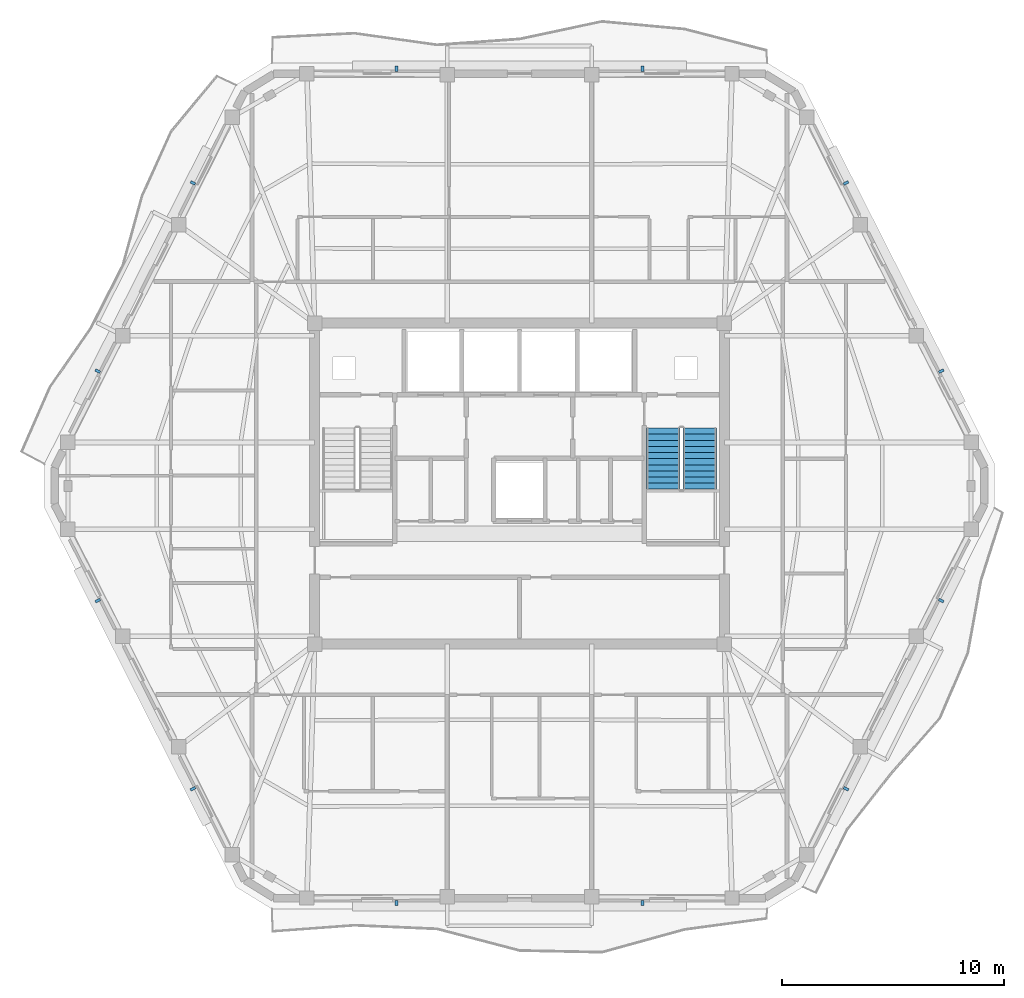
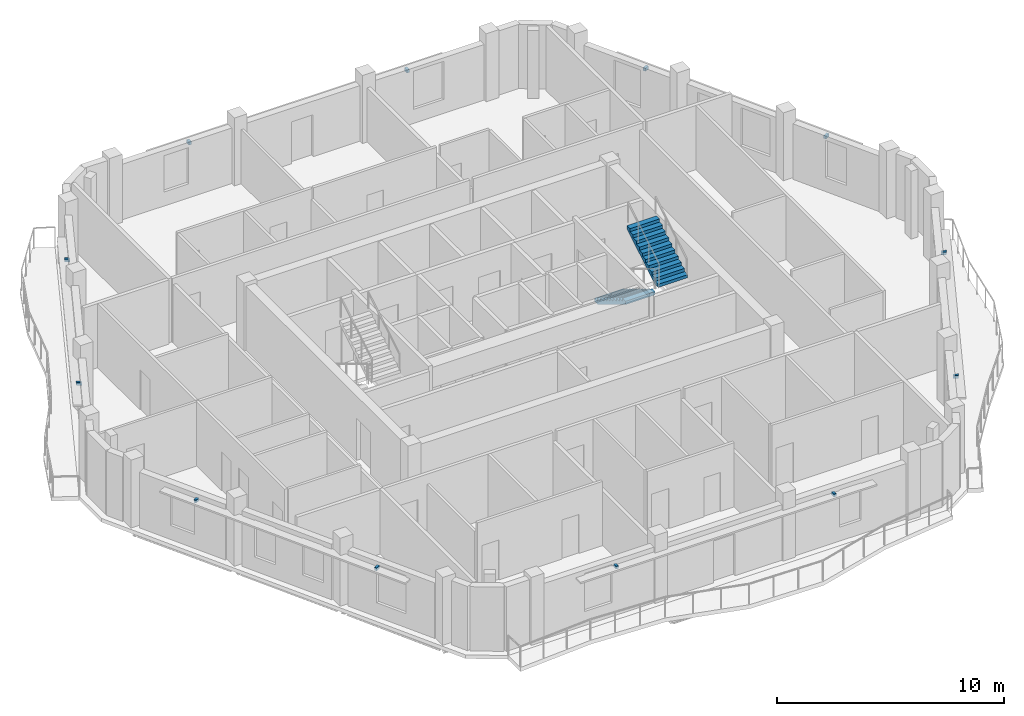
# One storey, part 8 of 12: 12 discrete accessories, 2 stair flights, 1 element without a shape of its own.
"""IFC4 building model written with IfcOpenShell, lengths in metres."""

from ifc_helpers import new_model, si_unit, direction, frame, origin, origin_2d, place, context, subcontext, project, spatial, polyline, rectangle, outline, extrude, material, type_object, element, aggregate, save


model = new_model("IFC4")

# Units and contexts
model_context = context("Model", 3, precision=1e-05, world=origin(), true_north=direction((0.0, 1.0)))
body_context = subcontext(model_context, "Body", "Model", "MODEL_VIEW")
ifc_project = project(units=[si_unit("LENGTHUNIT", "METRE"), si_unit("AREAUNIT", "SQUARE_METRE"), si_unit("VOLUMEUNIT", "CUBIC_METRE"), si_unit("PLANEANGLEUNIT", "RADIAN"), si_unit("MASSUNIT", "GRAM", prefix="KILO")], contexts=[model_context])

# Site, building, storey
site_placement = place(None, origin())
site = spatial("IfcSite", under=ifc_project, at=site_placement, CompositionType="ELEMENT")
building_placement = place(site_placement, origin())
building = spatial("IfcBuilding", under=site, at=building_placement, Name="Cinnabar Lancet Tower", CompositionType="ELEMENT")
storey_placement = place(building_placement, frame((0.0, 0.0, 270.800048828125)))
storey = spatial("IfcBuildingStorey", under=building, at=storey_placement, Name="L72", CompositionType="ELEMENT", Elevation=270.800048828125)

# Stair, stair flights
ifc_material_1 = material(Name="Concrete C40/50", Category="concrete")
stair_type = type_object("IfcStairType", Name="ST-CORE", PredefinedType="HALF_TURN_STAIR", material=ifc_material_1)
stair_placement = place(storey_placement, origin())
stair = element("IfcStair", 1, at=stair_placement, inside=storey, type_object=stair_type, Name="L72 ST-2", PredefinedType="HALF_TURN_STAIR")
ifc_material_2 = material(Name="Concrete C40/50", Category="concrete")
stair_flight_type = type_object("IfcStairFlightType", Name="FLIGHT-CORE", PredefinedType="STRAIGHT", material=ifc_material_2)
stair_flight_1_placement = place(storey_placement, frame((38.875, 28.39990234375, 0.0), z_axis=(0.0, 0.0, 1.0), x_axis=(0.0, -1.0, 0.0)))
stair_flight_1 = element("IfcStairFlight", 2, at=stair_flight_1_placement, type_object=stair_flight_type, Name="ST-2 flight 1", NumberOfRisers=11, NumberOfTreads=10, PredefinedType="STRAIGHT", RiserHeight=0.165909091, TreadLength=0.275, context=body_context, shape_type="SweptSolid", body=[
    extrude(outline(polyline([(0.0, 0.0), (0.0, 0.166015625), (0.27490234375, 0.166015625), (0.27490234375, 0.331787109375), (0.550048828125, 0.331787109375), (0.550048828125, 0.497802734375), (0.824951171875, 0.497802734375), (0.824951171875, 0.66357421875), (1.10009765625, 0.66357421875), (1.10009765625, 0.82958984375), (1.375, 0.82958984375), (1.375, 0.995361328125), (1.64990234375, 0.995361328125), (1.64990234375, 1.161376953125), (1.925048828125, 1.161376953125), (1.925048828125, 1.327392578125), (2.199951171875, 1.327392578125), (2.199951171875, 1.4931640625), (2.47509765625, 1.4931640625), (2.47509765625, 1.6591796875), (2.75, 1.6591796875), (2.75, 1.824951171875), (2.75, 1.484130859375), (0.290283203125, 0.0), (0.0, 0.0)])), frame((0.0, 0.75, 0.0), z_axis=(0.0, -1.0, 0.0), x_axis=(1.0, 0.0, 0.0)), (0.0, 0.0, 1.0), 1.5),
])
stair_flight_2_placement = place(storey_placement, frame((40.52490234375, 25.64990234375, 1.824951171875), z_axis=(0.0, 0.0, 1.0), x_axis=(0.0, 1.0, 0.0)))
stair_flight_2 = element("IfcStairFlight", 3, at=stair_flight_2_placement, type_object=stair_flight_type, Name="ST-2 flight 2", NumberOfRisers=11, NumberOfTreads=10, PredefinedType="STRAIGHT", RiserHeight=0.165909091, TreadLength=0.275, context=body_context, shape_type="SweptSolid", body=[
    extrude(outline(polyline([(0.0, 0.0), (0.0, 0.166015625), (0.27490234375, 0.166015625), (0.27490234375, 0.331787109375), (0.550048828125, 0.331787109375), (0.550048828125, 0.497802734375), (0.824951171875, 0.497802734375), (0.824951171875, 0.66357421875), (1.10009765625, 0.66357421875), (1.10009765625, 0.82958984375), (1.375, 0.82958984375), (1.375, 0.995361328125), (1.64990234375, 0.995361328125), (1.64990234375, 1.161376953125), (1.925048828125, 1.161376953125), (1.925048828125, 1.327392578125), (2.199951171875, 1.327392578125), (2.199951171875, 1.4931640625), (2.47509765625, 1.4931640625), (2.47509765625, 1.6591796875), (2.75, 1.6591796875), (2.75, 1.824951171875), (2.75, 1.484130859375), (0.290283203125, 0.0), (0.0, 0.0)])), frame((0.0, 0.75, 0.0), z_axis=(0.0, -1.0, 0.0), x_axis=(1.0, 0.0, 0.0)), (0.0, 0.0, 1.0), 1.5),
])
aggregate(stair, [stair_flight_1, stair_flight_2])

# Discrete accessories
ifc_material_3 = material(Name="Stainless steel 316 facade fixing bracket", Category="steel")
discrete_accessory_type = type_object("IfcDiscreteAccessoryType", Name="ENV-ACC-BRK-180", PredefinedType="BRACKET", material=ifc_material_3)
for number, where, z_axis, x_axis, name in (
    (4, (26.863037109375, 7.010009765625, 2.60009765625), (0.0, 0.0, 1.0), (1.0, 0.0, 0.0), "L72 Face 1 Sunshade Bracket A"),
    (5, (37.93701171875, 7.010009765625, 2.60009765625), (0.0, 0.0, 1.0), (1.0, 0.0, 0.0), "L72 Face 1 Sunshade Bracket B"),
    (6, (47.10791015625, 12.157958984375, 2.60009765625), (0.0, 0.0, 1.0), (0.451375984307, 0.89233386173, 0.0), "L72 Face 2 Sunshade Bracket A"),
    (7, (51.39306640625, 20.6298828125, 2.60009765625), (0.0, 0.0, 1.0), (0.451375984307, 0.89233386173, 0.0), "L72 Face 2 Sunshade Bracket B"),
    (8, (51.39306640625, 30.969970703125, 2.60009765625), (0.0, 0.0, 1.0), (-0.451375984307, 0.89233386173, 0.0), "L72 Face 3 Sunshade Bracket A"),
    (9, (47.10791015625, 39.44189453125, 2.60009765625), (0.0, 0.0, 1.0), (-0.451375984307, 0.89233386173, 0.0), "L72 Face 3 Sunshade Bracket B"),
    (10, (37.93701171875, 44.590087890625, 2.60009765625), (0.0, 0.0, 1.0), (-1.0, 0.0, 0.0), "L72 Face 4 Sunshade Bracket A"),
    (11, (26.863037109375, 44.590087890625, 2.60009765625), (0.0, 0.0, 1.0), (-1.0, 0.0, 0.0), "L72 Face 4 Sunshade Bracket B"),
    (12, (17.69189453125, 39.44189453125, 2.60009765625), (0.0, 0.0, 1.0), (-0.451375984307, -0.89233386173, 0.0), "L72 Face 5 Sunshade Bracket A"),
    (13, (13.406982421875, 30.969970703125, 2.60009765625), (0.0, 0.0, 1.0), (-0.451375984307, -0.89233386173, 0.0), "L72 Face 5 Sunshade Bracket B"),
    (14, (13.406982421875, 20.6298828125, 2.60009765625), (0.0, 0.0, 1.0), (0.451375984307, -0.89233386173, 0.0), "L72 Face 6 Sunshade Bracket A"),
    (15, (17.69189453125, 12.157958984375, 2.60009765625), (0.0, 0.0, 1.0), (0.451375984307, -0.89233386173, 0.0), "L72 Face 6 Sunshade Bracket B"),
):
    element("IfcDiscreteAccessory", number, at=place(storey_placement, frame(where, z_axis=z_axis, x_axis=x_axis)), inside=storey, type_object=discrete_accessory_type, Name=name, PredefinedType="BRACKET", context=body_context, shape_type="SweptSolid", body=[
        extrude(rectangle(XDim=0.1201171875, YDim=0.239990234375, at=origin_2d()), origin(), (0.0, 0.0, 1.0), 0.159912109375),
    ])

save(model, "model.ifc")
